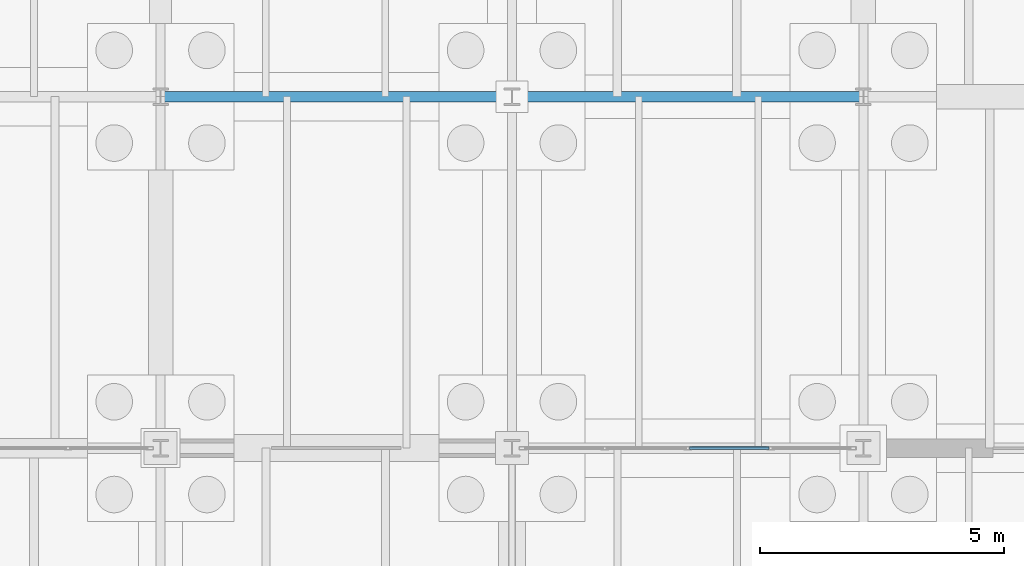
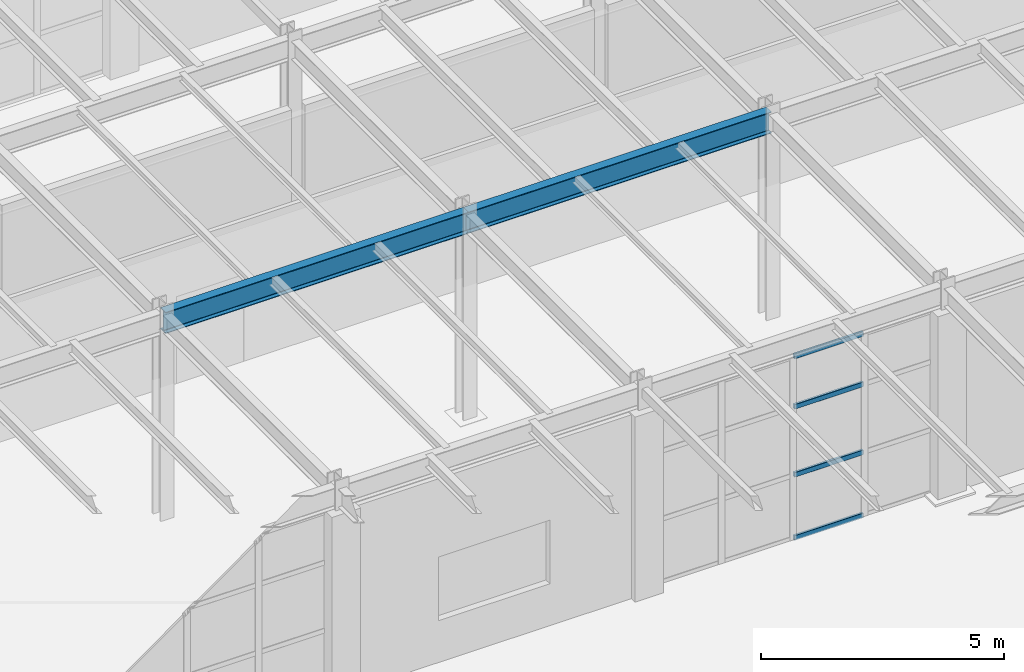
# One storey, part 86 of 293: 4 members, 2 beams, 1 element without a shape of its own.
"""IFC4 building model written with IfcOpenShell, lengths in metres."""

from ifc_helpers import new_model, si_unit, direction, frame, origin, origin_2d, place, context, subcontext, project, spatial, hollow_rectangle, i_section, extrude, material, layer, layer_set, material_profile, profile_set, type_object, element, aggregate, save


model = new_model("IFC4")

# Units and contexts
model_context = context("Model", 3, precision=1e-05, world=origin(), true_north=direction((0.0, 1.0)))
body_context = subcontext(model_context, "Body", "Model", "MODEL_VIEW")
ifc_project = project(units=[si_unit("LENGTHUNIT", "METRE"), si_unit("AREAUNIT", "SQUARE_METRE"), si_unit("VOLUMEUNIT", "CUBIC_METRE"), si_unit("PLANEANGLEUNIT", "RADIAN"), si_unit("MASSUNIT", "GRAM", prefix="KILO")], contexts=[model_context])

# Site, building, storey
site_placement = place(None, origin())
site = spatial("IfcSite", under=ifc_project, at=site_placement, CompositionType="ELEMENT")
building_placement = place(site_placement, origin())
building = spatial("IfcBuilding", under=site, at=building_placement, Name="Kemerveld Promenade Tramway Depot", CompositionType="ELEMENT")
storey_placement = place(building_placement, origin())
storey = spatial("IfcBuildingStorey", under=building, at=storey_placement, Name="L00", CompositionType="ELEMENT", Elevation=0.0)

# Beams
ifc_material_1 = material(Name="Steel S355", Category="steel")
ifc_material_profile_1 = material_profile(ifc_material_1, i_section(OverallWidth=0.2099609375, OverallDepth=0.53662109375, WebThickness=0.0107421875, FlangeThickness=0.017333984375, FilletRadius=0.0126953125, at=origin_2d()), Name="533x210x101 UB")
ifc_profile_set_1 = profile_set([ifc_material_profile_1], Name="Steel S355")
beam_type = type_object("IfcBeamType", Name="BM-G05", PredefinedType="BEAM", material=ifc_profile_set_1)
for number, where, z_axis, x_axis, name in (
    (1, (108.0, 14.39990234375, 4.906494140625), (1.0, 0.0, 0.0), (0.0, 1.0, 0.0), "BMX-L00-16-17-C"),
    (2, (115.199951171875, 14.39990234375, 4.906494140625), (1.0, 0.0, 0.0), (0.0, 1.0, 0.0), "BMX-L00-17-18-C"),
):
    element("IfcBeam", number, at=place(storey_placement, frame(where, z_axis=z_axis, x_axis=x_axis)), inside=storey, type_object=beam_type, Name=name, PredefinedType="BEAM", context=body_context, shape_type="SweptSolid", body=[
        extrude(i_section(OverallWidth=0.2099609375, OverallDepth=0.53662109375, WebThickness=0.0107421875, FlangeThickness=0.017333984375, FilletRadius=0.0126953125, at=origin_2d()), origin(), (0.0, 0.0, 1.0), 7.199951171875),
    ])

# Curtain wall, members
ifc_material_2 = material(Name="Bronze anodised aluminium and solar glass", Category="aluminium")
ifc_layer = layer(ifc_material_2, 0.159912109375)
ifc_layer_set = layer_set([ifc_layer], Name="CW-SYS-09")
curtain_wall_type = type_object("IfcCurtainWallType", Name="CW-SYS-09", PredefinedType="USERDEFINED", material=ifc_layer_set)
curtain_wall_placement = place(storey_placement, origin())
curtain_wall = element("IfcCurtainWall", 3, at=curtain_wall_placement, inside=storey, type_object=curtain_wall_type, Name="CW-L00-V4S-06", ObjectType="GLAZED_CURTAIN_WALL", PredefinedType="USERDEFINED")
ifc_material_3 = material(Name="Bronze anodised aluminium", Category="aluminium")
ifc_material_profile_2 = material_profile(ifc_material_3, hollow_rectangle(XDim=0.06005859375, YDim=0.1201171875, WallThickness=0.00390625, InnerFilletRadius=0.001953125, OuterFilletRadius=0.00390625, at=origin_2d()), Name="CW-TRN-120x60")
ifc_profile_set_2 = profile_set([ifc_material_profile_2], Name="Bronze anodised aluminium")
member_type = type_object("IfcMemberType", Name="CW-TRN-A", PredefinedType="USERDEFINED", material=ifc_profile_set_2)
member_1_placement = place(storey_placement, frame((120.46923828125, 7.199951171875, 0.030029296875), z_axis=(-1.0, 0.0, 0.0), x_axis=(0.0, -1.0, 0.0)))
member_1 = element("IfcMember", 4, at=member_1_placement, type_object=member_type, Name="CW09 transom 2.1", ObjectType="TRANSOM", PredefinedType="USERDEFINED", context=body_context, shape_type="SweptSolid", body=[
    extrude(hollow_rectangle(XDim=0.06005859375, YDim=0.1201171875, WallThickness=0.00390625, InnerFilletRadius=0.001953125, OuterFilletRadius=0.00390625, at=origin_2d()), origin(), (0.0, 0.0, 1.0), 1.63671875),
])
member_2_placement = place(storey_placement, frame((120.46923828125, 7.199951171875, 1.615966796875), z_axis=(-1.0, 0.0, 0.0), x_axis=(0.0, -1.0, 0.0)))
member_2 = element("IfcMember", 5, at=member_2_placement, type_object=member_type, Name="CW09 transom 2.2", ObjectType="TRANSOM", PredefinedType="USERDEFINED", context=body_context, shape_type="SweptSolid", body=[
    extrude(hollow_rectangle(XDim=0.06005859375, YDim=0.1201171875, WallThickness=0.00390625, InnerFilletRadius=0.001953125, OuterFilletRadius=0.00390625, at=origin_2d()), origin(), (0.0, 0.0, 1.0), 1.63671875),
])
member_3_placement = place(storey_placement, frame((120.46923828125, 7.199951171875, 3.324951171875), z_axis=(-1.0, 0.0, 0.0), x_axis=(0.0, -1.0, 0.0)))
member_3 = element("IfcMember", 6, at=member_3_placement, type_object=member_type, Name="CW09 transom 2.3", ObjectType="TRANSOM", PredefinedType="USERDEFINED", context=body_context, shape_type="SweptSolid", body=[
    extrude(hollow_rectangle(XDim=0.06005859375, YDim=0.1201171875, WallThickness=0.00390625, InnerFilletRadius=0.001953125, OuterFilletRadius=0.00390625, at=origin_2d()), origin(), (0.0, 0.0, 1.0), 1.63671875),
])
member_4_placement = place(storey_placement, frame((120.46923828125, 7.199951171875, 4.58837890625), z_axis=(-1.0, 0.0, 0.0), x_axis=(0.0, -1.0, 0.0)))
member_4 = element("IfcMember", 7, at=member_4_placement, type_object=member_type, Name="CW09 transom 2.4", ObjectType="TRANSOM", PredefinedType="USERDEFINED", context=body_context, shape_type="SweptSolid", body=[
    extrude(hollow_rectangle(XDim=0.06005859375, YDim=0.1201171875, WallThickness=0.00390625, InnerFilletRadius=0.001953125, OuterFilletRadius=0.00390625, at=origin_2d()), origin(), (0.0, 0.0, 1.0), 1.63671875),
])
aggregate(curtain_wall, [member_1, member_2, member_3, member_4])

save(model, "model.ifc")
